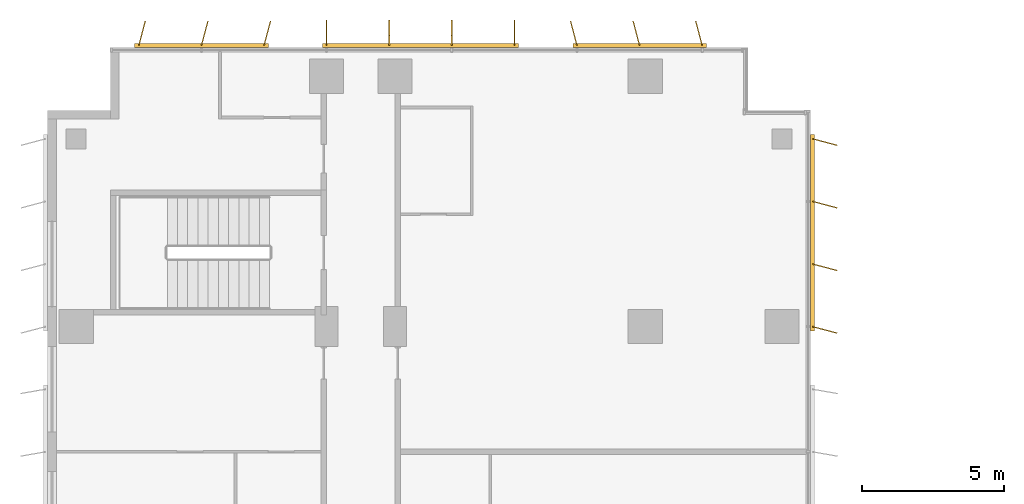
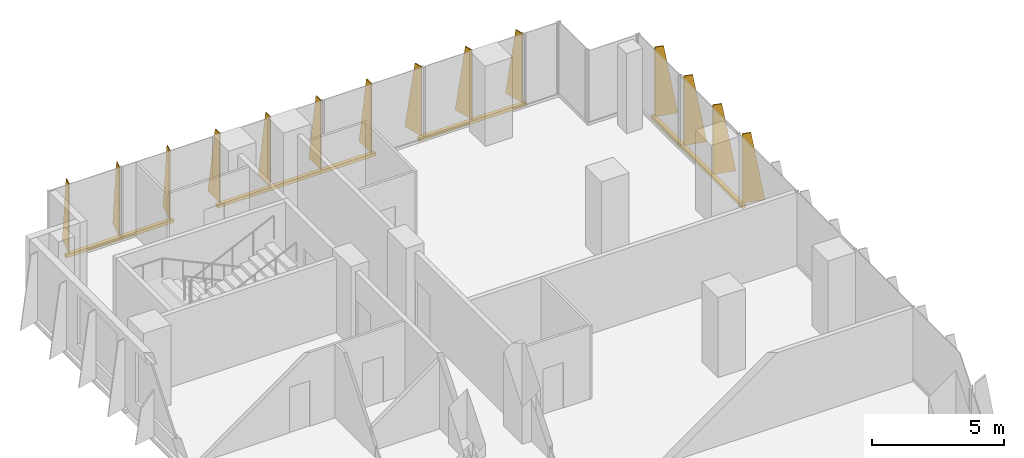
# One storey, part 22 of 22: 4 shading devices.
"""IFC4 building model written with IfcOpenShell, lengths in metres."""

from ifc_helpers import new_model, si_unit, direction, frame, origin, origin_2d, place, context, subcontext, project, spatial, polyline, rectangle, outline, extrude, source, transform, mapped, material, layer, layer_set, type_object, element, save


model = new_model("IFC4")

# Units and contexts
model_context = context("Model", 3, precision=1e-05, world=origin(), true_north=direction((0.0, 1.0)))
body_context = subcontext(model_context, "Body", "Model", "MODEL_VIEW")
ifc_project = project(units=[si_unit("LENGTHUNIT", "METRE"), si_unit("AREAUNIT", "SQUARE_METRE"), si_unit("VOLUMEUNIT", "CUBIC_METRE"), si_unit("PLANEANGLEUNIT", "RADIAN"), si_unit("MASSUNIT", "GRAM", prefix="KILO")], contexts=[model_context])

# Site, building, storey
site_placement = place(None, origin())
site = spatial("IfcSite", under=ifc_project, at=site_placement, CompositionType="ELEMENT")
building_placement = place(site_placement, origin())
building = spatial("IfcBuilding", under=site, at=building_placement, Name="Kemantara Hotel Tower", CompositionType="ELEMENT")
storey_placement = place(building_placement, frame((0.0, 0.0, 145.699951171875)))
storey = spatial("IfcBuildingStorey", under=building, at=storey_placement, Name="L35", CompositionType="ELEMENT", Elevation=145.699951171875)

# Shading devices
ifc_material = material(Name="Perforated aluminium plate 4 mm bronze anodised", Category="aluminium")
ifc_layer_1 = layer(ifc_material, 0.0400390625)
ifc_layer_set_1 = layer_set([ifc_layer_1], Name="Perforated aluminium plate 4 mm bronze anodised")
shading_device_type_1 = type_object("IfcShadingDeviceType", Name="SCREEN FIN CASSETTE, 3 BLADES AT -15.0 DEG, 3200 HIGH", PredefinedType="USERDEFINED", material=ifc_layer_set_1)
shared_shape_1 = source(origin(), body_context, "Body", "SweptSolid", [
    extrude(rectangle(XDim=4.699951171875, YDim=0.14990234375, at=origin_2d()), frame((2.199951171875, -0.074951171875, -0.14990234375), z_axis=(0.0, 0.0, 1.0), x_axis=(1.0, 0.0, 0.0)), (0.0, 0.0, 1.0), 0.14990234375),
    extrude(outline(polyline([(0.0, 0.0), (0.89990234375, 0.0), (0.35009765625, 3.199951171875), (0.0, 3.199951171875), (0.0, 0.0)])), frame((0.019287109375, -0.080078125, 0.0), z_axis=(-0.966437683387, 0.256901156343, 0.0), x_axis=(-0.256901156343, -0.966437683387, 0.0)), (0.0, 0.0, 1.0), 0.039794921875),
    extrude(outline(polyline([(0.0, 0.0), (0.89990234375, 0.0), (0.35009765625, 3.199951171875), (0.0, 3.199951171875), (0.0, 0.0)])), frame((2.21923828125, -0.080078125, 0.0), z_axis=(-0.966437683387, 0.256901156343, 0.0), x_axis=(-0.256901156343, -0.966437683387, 0.0)), (0.0, 0.0, 1.0), 0.039794921875),
    extrude(outline(polyline([(0.0, 0.0), (0.89990234375, 0.0), (0.35009765625, 3.199951171875), (0.0, 3.199951171875), (0.0, 0.0)])), frame((4.41943359375, -0.080078125, 0.0), z_axis=(-0.966837822169, 0.255391122837, 0.0), x_axis=(-0.255391122837, -0.966837822169, 0.0)), (0.0, 0.0, 1.0), 0.0400390625),
])
shading_device_1_placement = place(storey_placement, frame((7.60009765625, 81.199951171875, 0.10009765625), z_axis=(0.0, 0.0, 1.0), x_axis=(-1.0, 0.0, 0.0)))
element("IfcShadingDevice", 1, at=shading_device_1_placement, inside=storey, type_object=shading_device_type_1, Name="SCREEN FIN CASSETTE L35 T2-R01-3", ObjectType="SCREEN FIN", PredefinedType="USERDEFINED", context=body_context, shape_type="MappedRepresentation", body=[
    mapped(shared_shape_1, transform((0.0, 0.0, 0.0))),
])
ifc_layer_2 = layer(ifc_material, 0.0400390625)
ifc_layer_set_2 = layer_set([ifc_layer_2], Name="Perforated aluminium plate 4 mm bronze anodised")
shading_device_type_2 = type_object("IfcShadingDeviceType", Name="SCREEN FIN CASSETTE, 4 BLADES AT +0.0 DEG, 3200 HIGH", PredefinedType="USERDEFINED", material=ifc_layer_set_2)
shared_shape_2 = source(origin(), body_context, "Body", "SweptSolid", [
    extrude(rectangle(XDim=6.89990234375, YDim=0.14990234375, at=origin_2d()), frame((3.300048828125, -0.074951171875, -0.14990234375), z_axis=(0.0, 0.0, 1.0), x_axis=(1.0, 0.0, 0.0)), (0.0, 0.0, 1.0), 0.14990234375),
    extrude(outline(polyline([(0.0, 0.0), (0.89990234375, 0.0), (0.35009765625, 3.199951171875), (0.0, 3.199951171875), (0.0, 0.0)])), frame((0.02001953125, -0.074951171875, 0.0), z_axis=(-1.0, 0.0, 0.0), x_axis=(0.0, -1.0, 0.0)), (0.0, 0.0, 1.0), 0.0400390625),
    extrude(outline(polyline([(0.0, 0.0), (0.89990234375, 0.0), (0.35009765625, 3.199951171875), (0.0, 3.199951171875), (0.0, 0.0)])), frame((2.219970703125, -0.074951171875, 0.0), z_axis=(-1.0, 0.0, 0.0), x_axis=(0.0, -1.0, 0.0)), (0.0, 0.0, 1.0), 0.0400390625),
    extrude(outline(polyline([(0.0, 0.0), (0.89990234375, 0.0), (0.35009765625, 3.199951171875), (0.0, 3.199951171875), (0.0, 0.0)])), frame((4.419921875, -0.074951171875, 0.0), z_axis=(-1.0, 0.0, 0.0), x_axis=(0.0, -1.0, 0.0)), (0.0, 0.0, 1.0), 0.0400390625),
    extrude(outline(polyline([(0.0, 0.0), (0.89990234375, 0.0), (0.35009765625, 3.199951171875), (0.0, 3.199951171875), (0.0, 0.0)])), frame((6.6201171875, -0.074951171875, 0.0), z_axis=(-1.0, 0.0, 0.0), x_axis=(0.0, -1.0, 0.0)), (0.0, 0.0, 1.0), 0.0400390625),
])
shading_device_2_placement = place(storey_placement, frame((16.39990234375, 81.199951171875, 0.10009765625), z_axis=(0.0, 0.0, 1.0), x_axis=(-1.0, 0.0, 0.0)))
element("IfcShadingDevice", 2, at=shading_device_2_placement, inside=storey, type_object=shading_device_type_2, Name="SCREEN FIN CASSETTE L35 T2-R01-2", ObjectType="SCREEN FIN", PredefinedType="USERDEFINED", context=body_context, shape_type="MappedRepresentation", body=[
    mapped(shared_shape_2, transform((0.0, 0.0, 0.0))),
])
ifc_layer_3 = layer(ifc_material, 0.0400390625)
ifc_layer_set_3 = layer_set([ifc_layer_3], Name="Perforated aluminium plate 4 mm bronze anodised")
shading_device_type_3 = type_object("IfcShadingDeviceType", Name="SCREEN FIN CASSETTE, 3 BLADES AT +15.0 DEG, 3200 HIGH", PredefinedType="USERDEFINED", material=ifc_layer_set_3)
shared_shape_3 = source(origin(), body_context, "Body", "SweptSolid", [
    extrude(rectangle(XDim=4.699951171875, YDim=0.14990234375, at=origin_2d()), frame((2.199951171875, -0.074951171875, -0.14990234375), z_axis=(0.0, 0.0, 1.0), x_axis=(1.0, 0.0, 0.0)), (0.0, 0.0, 1.0), 0.14990234375),
    extrude(outline(polyline([(0.0, 0.0), (0.89990234375, 0.0), (0.35009765625, 3.199951171875), (0.0, 3.199951171875), (0.0, 0.0)])), frame((0.019287109375, -0.06982421875, 0.0), z_axis=(-0.966437683387, -0.256901156343, 0.0), x_axis=(0.256901156343, -0.966437683387, 0.0)), (0.0, 0.0, 1.0), 0.039794921875),
    extrude(outline(polyline([(0.0, 0.0), (0.89990234375, 0.0), (0.35009765625, 3.199951171875), (0.0, 3.199951171875), (0.0, 0.0)])), frame((2.21923828125, -0.06982421875, 0.0), z_axis=(-0.966437683387, -0.256901156343, 0.0), x_axis=(0.256901156343, -0.966437683387, 0.0)), (0.0, 0.0, 1.0), 0.039794921875),
    extrude(outline(polyline([(0.0, 0.0), (0.89990234375, 0.0), (0.35009765625, 3.199951171875), (0.0, 3.199951171875), (0.0, 0.0)])), frame((4.41943359375, -0.06982421875, 0.0), z_axis=(-0.966837822169, -0.255391122837, 0.0), x_axis=(0.255391122837, -0.966837822169, 0.0)), (0.0, 0.0, 1.0), 0.0400390625),
])
shading_device_3_placement = place(storey_placement, frame((23.0, 81.199951171875, 0.10009765625), z_axis=(0.0, 0.0, 1.0), x_axis=(-1.0, 0.0, 0.0)))
element("IfcShadingDevice", 3, at=shading_device_3_placement, inside=storey, type_object=shading_device_type_3, Name="SCREEN FIN CASSETTE L35 T2-R01-1", ObjectType="SCREEN FIN", PredefinedType="USERDEFINED", context=body_context, shape_type="MappedRepresentation", body=[
    mapped(shared_shape_3, transform((0.0, 0.0, 0.0))),
])
ifc_layer_4 = layer(ifc_material, 0.0400390625)
ifc_layer_set_4 = layer_set([ifc_layer_4], Name="Perforated aluminium plate 4 mm bronze anodised")
shading_device_type_4 = type_object("IfcShadingDeviceType", Name="SCREEN FIN CASSETTE, 4 BLADES AT -15.0 DEG, 3200 HIGH", PredefinedType="USERDEFINED", material=ifc_layer_set_4)
shared_shape_4 = source(origin(), body_context, "Body", "SweptSolid", [
    extrude(rectangle(XDim=6.89990234375, YDim=0.14990234375, at=origin_2d()), frame((3.300048828125, -0.074951171875, -0.14990234375), z_axis=(0.0, 0.0, 1.0), x_axis=(1.0, 0.0, 0.0)), (0.0, 0.0, 1.0), 0.14990234375),
    extrude(outline(polyline([(0.0, 0.0), (0.89990234375, 0.0), (0.35009765625, 3.199951171875), (0.0, 3.199951171875), (0.0, 0.0)])), frame((0.019287109375, -0.080078125, 0.0), z_axis=(-0.966437683387, 0.256901156343, 0.0), x_axis=(-0.256901156343, -0.966437683387, 0.0)), (0.0, 0.0, 1.0), 0.039794921875),
    extrude(outline(polyline([(0.0, 0.0), (0.89990234375, 0.0), (0.35009765625, 3.199951171875), (0.0, 3.199951171875), (0.0, 0.0)])), frame((2.21923828125, -0.080078125, 0.0), z_axis=(-0.966437683387, 0.256901156343, 0.0), x_axis=(-0.256901156343, -0.966437683387, 0.0)), (0.0, 0.0, 1.0), 0.039794921875),
    extrude(outline(polyline([(0.0, 0.0), (0.89990234375, 0.0), (0.35009765625, 3.199951171875), (0.0, 3.199951171875), (0.0, 0.0)])), frame((4.41943359375, -0.080078125, 0.0), z_axis=(-0.966837822169, 0.255391122837, 0.0), x_axis=(-0.255391122837, -0.966837822169, 0.0)), (0.0, 0.0, 1.0), 0.0400390625),
    extrude(outline(polyline([(0.0, 0.0), (0.89990234375, 0.0), (0.35009765625, 3.199951171875), (0.0, 3.199951171875), (0.0, 0.0)])), frame((6.619384765625, -0.080078125, 0.0), z_axis=(-0.966837822169, 0.255391122837, 0.0), x_axis=(-0.255391122837, -0.966837822169, 0.0)), (0.0, 0.0, 1.0), 0.0400390625),
])
shading_device_4_placement = place(storey_placement, frame((26.800048828125, 71.39990234375, 0.10009765625), z_axis=(0.0, 0.0, 1.0), x_axis=(0.0, 1.0, 0.0)))
element("IfcShadingDevice", 4, at=shading_device_4_placement, inside=storey, type_object=shading_device_type_4, Name="SCREEN FIN CASSETTE L35 T2-R14-7", ObjectType="SCREEN FIN", PredefinedType="USERDEFINED", context=body_context, shape_type="MappedRepresentation", body=[
    mapped(shared_shape_4, transform((0.0, 0.0, 0.0))),
])

save(model, "model.ifc")
